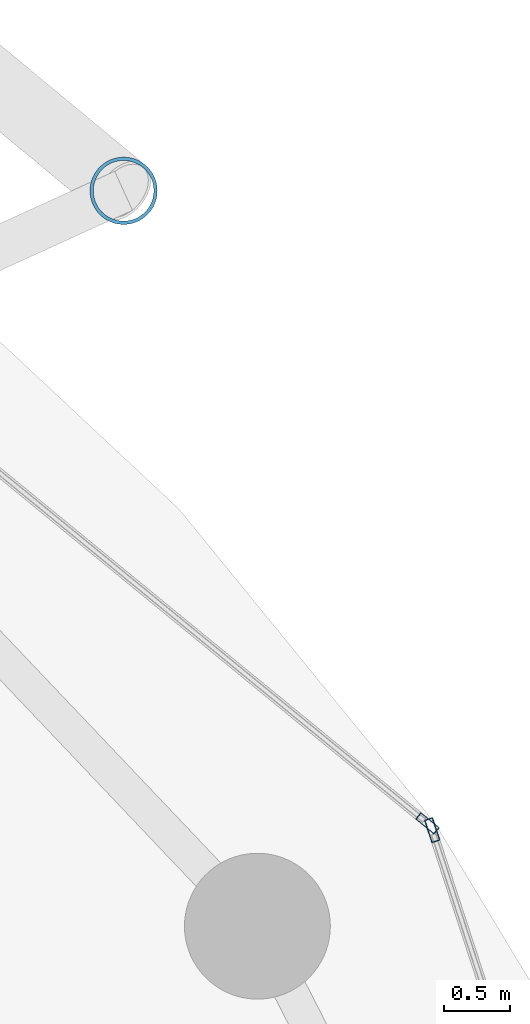
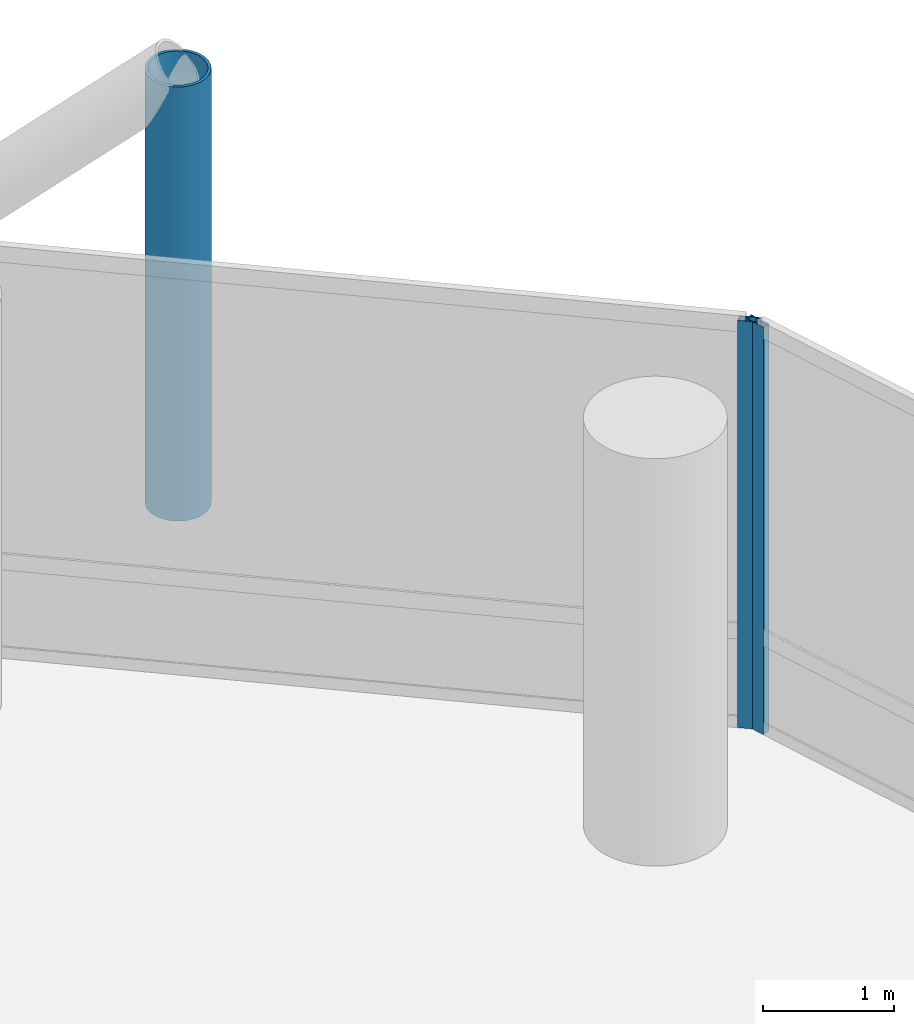
# One storey, part 19 of 24: 3 members, 2 elements without a shape of their own.
"""IFC4 building model written with IfcOpenShell, lengths in metres."""

from ifc_helpers import new_model, si_unit, direction, frame, origin, origin_2d, place, context, subcontext, project, spatial, hollow_rectangle, hollow_circle, extrude, material, layer, layer_set, material_profile, profile_set, type_object, element, aggregate, save


model = new_model("IFC4")

# Units and contexts
model_context = context("Model", 3, precision=1e-05, world=origin(), true_north=direction((0.0, 1.0)))
body_context = subcontext(model_context, "Body", "Model", "MODEL_VIEW")
ifc_project = project(units=[si_unit("LENGTHUNIT", "METRE"), si_unit("AREAUNIT", "SQUARE_METRE"), si_unit("VOLUMEUNIT", "CUBIC_METRE"), si_unit("PLANEANGLEUNIT", "RADIAN"), si_unit("MASSUNIT", "GRAM", prefix="KILO")], contexts=[model_context])

# Site, building, storey
site_placement = place(None, origin())
site = spatial("IfcSite", under=ifc_project, at=site_placement, CompositionType="ELEMENT")
building_placement = place(site_placement, origin())
building = spatial("IfcBuilding", under=site, at=building_placement, Name="Nuhasar Tower", CompositionType="ELEMENT")
storey_placement = place(building_placement, frame((0.0, 0.0, 81.75)))
storey = spatial("IfcBuildingStorey", under=building, at=storey_placement, Name="L19", CompositionType="ELEMENT", Elevation=81.75)

# Curtain wall, member
ifc_material_1 = material(Name="Aluminium 6063-T6", Category="aluminium")
ifc_layer = layer(ifc_material_1, 0.199951171875)
ifc_layer_set = layer_set([ifc_layer], Name="Aluminium 6063-T6")
curtain_wall_type = type_object("IfcCurtainWallType", Name="CW-Z1-OFF", PredefinedType="NOTDEFINED", material=ifc_layer_set)
curtain_wall_1_placement = place(storey_placement, origin())
curtain_wall_1 = element("IfcCurtainWall", 1, at=curtain_wall_1_placement, inside=storey, type_object=curtain_wall_type, Name="L19 Unitised Curtain Wall 01", PredefinedType="NOTDEFINED")
ifc_material_profile_1 = material_profile(ifc_material_1, hollow_rectangle(XDim=0.06494140625, YDim=0.179931640625, WallThickness=0.0048828125, at=origin_2d()), Name="CWM-2")
ifc_profile_set_1 = profile_set([ifc_material_profile_1], Name="Aluminium 6063-T6")
member_type_1 = type_object("IfcMemberType", Name="CW-MUL-S2", PredefinedType="MULLION", material=ifc_profile_set_1)
member_1_placement = place(storey_placement, frame((62.01220703125, 37.649169921875, 0.0), z_axis=(0.0, 0.0, 1.0), x_axis=(-0.950467534571, -0.310823849997, 0.0)))
member_1 = element("IfcMember", 2, at=member_1_placement, type_object=member_type_1, Name="CW-Z1 mullion 2", PredefinedType="MULLION", context=body_context, shape_type="SweptSolid", body=[
    extrude(hollow_rectangle(XDim=0.06494140625, YDim=0.179931640625, WallThickness=0.0048828125, at=origin_2d()), origin(), (0.0, 0.0, 1.0), 3.800048828125),
])
aggregate(curtain_wall_1, [member_1])

curtain_wall_2_placement = place(storey_placement, origin())
curtain_wall_2 = element("IfcCurtainWall", 3, at=curtain_wall_2_placement, inside=storey, type_object=curtain_wall_type, Name="L19 Unitised Curtain Wall 02", PredefinedType="NOTDEFINED")
member_2_placement = place(storey_placement, frame((61.976806640625, 37.70068359375, 0.0), z_axis=(0.0, 0.0, 1.0), x_axis=(-0.633744593376, -0.773542364946, 0.0)))
member_2 = element("IfcMember", 4, at=member_2_placement, type_object=member_type_1, Name="CW-Z1 mullion 1", PredefinedType="MULLION", context=body_context, shape_type="SweptSolid", body=[
    extrude(hollow_rectangle(XDim=0.06494140625, YDim=0.179931640625, WallThickness=0.0048828125, at=origin_2d()), origin(), (0.0, 0.0, 1.0), 3.800048828125),
])
aggregate(curtain_wall_2, [member_2])

# Member
ifc_material_2 = material(Name="Steel S460", Category="steel")
ifc_material_profile_2 = material_profile(ifc_material_2, hollow_circle(Radius=0.25390625, WallThickness=0.025390625, at=origin_2d()), Name="HSS508X25.4")
ifc_profile_set_2 = profile_set([ifc_material_profile_2], Name="Steel S460")
member_type_2 = type_object("IfcMemberType", Name="EXO-BRONZE-508", PredefinedType="BRACE", material=ifc_profile_set_2)
member_3_placement = place(storey_placement, frame((59.68505859375, 42.470947265625, 0.0), z_axis=(0.0, 0.0, 1.0), x_axis=(1.0, 0.0, 0.0)))
element("IfcMember", 5, at=member_3_placement, inside=storey, type_object=member_type_2, Name="L19 Exoskeleton Chord Column EC-02A", PredefinedType="BRACE", context=body_context, shape_type="SweptSolid", body=[
    extrude(hollow_circle(Radius=0.25390625, WallThickness=0.025390625, at=origin_2d()), origin(), (0.0, 0.0, 1.0), 4.050048828125),
])

save(model, "model.ifc")
